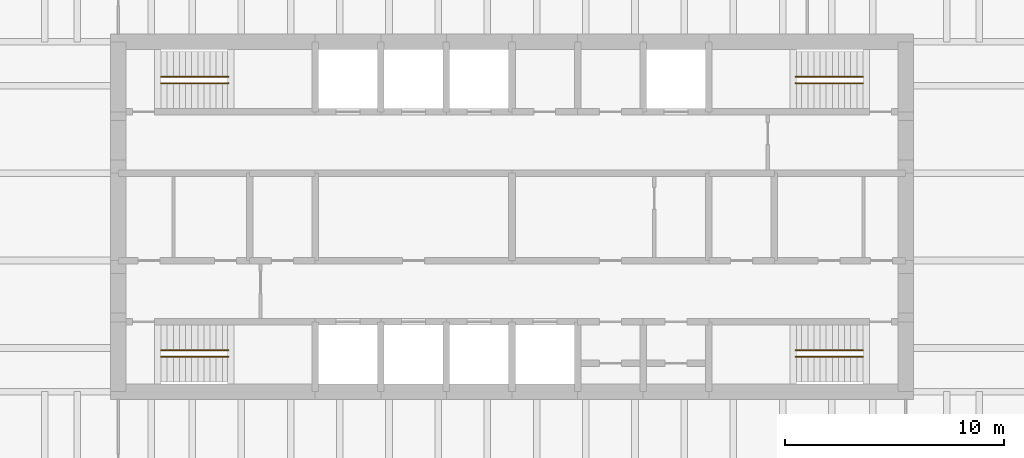
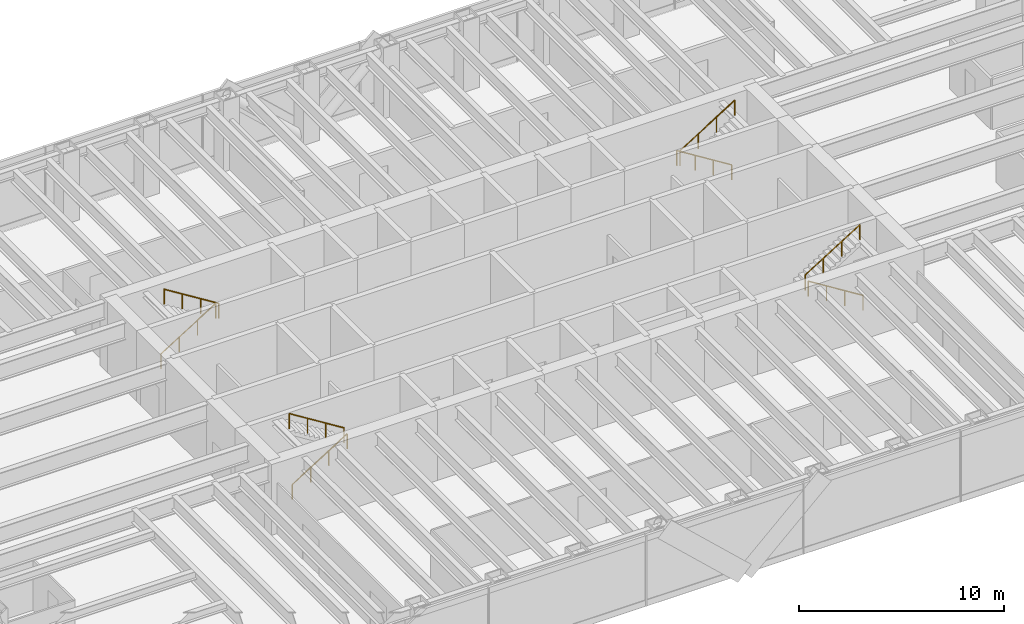
# One storey, part 17 of 17: 8 railings.
"""IFC4 building model written with IfcOpenShell, lengths in metres."""

from ifc_helpers import new_model, si_unit, direction, frame, origin, origin_2d, place, context, subcontext, project, spatial, circle, extrude, material, type_object, element, save


model = new_model("IFC4")

# Units and contexts
model_context = context("Model", 3, precision=1e-05, world=origin(), true_north=direction((0.0, 1.0)))
body_context = subcontext(model_context, "Body", "Model", "MODEL_VIEW")
ifc_project = project(units=[si_unit("LENGTHUNIT", "METRE"), si_unit("AREAUNIT", "SQUARE_METRE"), si_unit("VOLUMEUNIT", "CUBIC_METRE"), si_unit("PLANEANGLEUNIT", "RADIAN"), si_unit("MASSUNIT", "GRAM", prefix="KILO")], contexts=[model_context])

# Site, building, storey
site_placement = place(None, origin())
site = spatial("IfcSite", under=ifc_project, at=site_placement, CompositionType="ELEMENT")
building_placement = place(site_placement, origin())
building = spatial("IfcBuilding", under=site, at=building_placement, Name="Rheinbord Bourse Tower", CompositionType="ELEMENT")
storey_placement = place(building_placement, frame((0.0, 0.0, 304.699951171875)))
storey = spatial("IfcBuildingStorey", under=building, at=storey_placement, Name="L69", CompositionType="ELEMENT", Elevation=304.699951171875)

# Railings
ifc_material = material(Name="Steel handrail", Category="steel")
railing_type = type_object("IfcRailingType", Name="HANDRAIL 900", PredefinedType="HANDRAIL", material=ifc_material)
railing_1_placement = place(storey_placement, frame((19.949951171875, 17.60009765625, 0.175048828125)))
element("IfcRailing", 1, at=railing_1_placement, inside=storey, type_object=railing_type, Name="Handrail", PredefinedType="HANDRAIL", context=body_context, shape_type="SweptSolid", body=[
    extrude(circle(Radius=0.02392578125, at=origin_2d()), frame((0.0, 0.0, 0.8759765625), z_axis=(0.847998304005, 0.0, 0.529998940003), x_axis=(0.0, 1.0, 0.0)), (0.0, 0.0, 1.0), 3.632080078125),
    extrude(circle(Radius=0.02099609375, at=origin_2d()), origin(), (0.0, 0.0, 1.0), 0.851806640625),
    extrude(circle(Radius=0.02099609375, at=origin_2d()), frame((1.026611328125, 0.0, 0.6416015625)), (0.0, 0.0, 1.0), 0.851806640625),
    extrude(circle(Radius=0.02099609375, at=origin_2d()), frame((2.053466796875, 0.0, 1.283447265625)), (0.0, 0.0, 1.0), 0.851806640625),
    extrude(circle(Radius=0.02099609375, at=origin_2d()), frame((3.080078125, 0.0, 1.925048828125)), (0.0, 0.0, 1.0), 0.851806640625),
])
railing_2_placement = place(storey_placement, frame((23.030029296875, 17.89990234375, 2.275146484375)))
element("IfcRailing", 2, at=railing_2_placement, inside=storey, type_object=railing_type, Name="Handrail", PredefinedType="HANDRAIL", context=body_context, shape_type="SweptSolid", body=[
    extrude(circle(Radius=0.02392578125, at=origin_2d()), frame((0.0, 0.0, 0.8759765625), z_axis=(-0.848028513186, 0.0, 0.529950602248), x_axis=(0.0, -1.0, 0.0)), (0.0, 0.0, 1.0), 3.632080078125),
    extrude(circle(Radius=0.02099609375, at=origin_2d()), origin(), (0.0, 0.0, 1.0), 0.851806640625),
    extrude(circle(Radius=0.02099609375, at=origin_2d()), frame((-1.026611328125, 0.0, 0.6416015625)), (0.0, 0.0, 1.0), 0.851806640625),
    extrude(circle(Radius=0.02099609375, at=origin_2d()), frame((-2.053466796875, 0.0, 1.283203125)), (0.0, 0.0, 1.0), 0.851806640625),
    extrude(circle(Radius=0.02099609375, at=origin_2d()), frame((-3.080078125, 0.0, 1.9248046875)), (0.0, 0.0, 1.0), 0.851806640625),
])
railing_3_placement = place(storey_placement, frame((19.949951171875, 30.39990234375, 0.175048828125)))
element("IfcRailing", 3, at=railing_3_placement, inside=storey, type_object=railing_type, Name="Handrail", PredefinedType="HANDRAIL", context=body_context, shape_type="SweptSolid", body=[
    extrude(circle(Radius=0.02392578125, at=origin_2d()), frame((0.0, 0.0, 0.8759765625), z_axis=(0.847998304005, 0.0, 0.529998940003), x_axis=(0.0, 1.0, 0.0)), (0.0, 0.0, 1.0), 3.632080078125),
    extrude(circle(Radius=0.02099609375, at=origin_2d()), origin(), (0.0, 0.0, 1.0), 0.851806640625),
    extrude(circle(Radius=0.02099609375, at=origin_2d()), frame((1.026611328125, 0.0, 0.6416015625)), (0.0, 0.0, 1.0), 0.851806640625),
    extrude(circle(Radius=0.02099609375, at=origin_2d()), frame((2.053466796875, 0.0, 1.283447265625)), (0.0, 0.0, 1.0), 0.851806640625),
    extrude(circle(Radius=0.02099609375, at=origin_2d()), frame((3.080078125, 0.0, 1.925048828125)), (0.0, 0.0, 1.0), 0.851806640625),
])
railing_4_placement = place(storey_placement, frame((23.030029296875, 30.10009765625, 2.275146484375)))
element("IfcRailing", 4, at=railing_4_placement, inside=storey, type_object=railing_type, Name="Handrail", PredefinedType="HANDRAIL", context=body_context, shape_type="SweptSolid", body=[
    extrude(circle(Radius=0.02392578125, at=origin_2d()), frame((0.0, 0.0, 0.8759765625), z_axis=(-0.848028513186, 0.0, 0.529950602248), x_axis=(0.0, -1.0, 0.0)), (0.0, 0.0, 1.0), 3.632080078125),
    extrude(circle(Radius=0.02099609375, at=origin_2d()), origin(), (0.0, 0.0, 1.0), 0.851806640625),
    extrude(circle(Radius=0.02099609375, at=origin_2d()), frame((-1.026611328125, 0.0, 0.6416015625)), (0.0, 0.0, 1.0), 0.851806640625),
    extrude(circle(Radius=0.02099609375, at=origin_2d()), frame((-2.053466796875, 0.0, 1.283203125)), (0.0, 0.0, 1.0), 0.851806640625),
    extrude(circle(Radius=0.02099609375, at=origin_2d()), frame((-3.080078125, 0.0, 1.9248046875)), (0.0, 0.0, 1.0), 0.851806640625),
])
railing_5_placement = place(storey_placement, frame((52.050048828125, 17.60009765625, 0.175048828125)))
element("IfcRailing", 5, at=railing_5_placement, inside=storey, type_object=railing_type, Name="Handrail", PredefinedType="HANDRAIL", context=body_context, shape_type="SweptSolid", body=[
    extrude(circle(Radius=0.02392578125, at=origin_2d()), frame((0.0, 0.0, 0.8759765625), z_axis=(-0.847998304005, 0.0, 0.529998940003), x_axis=(0.0, -1.0, 0.0)), (0.0, 0.0, 1.0), 3.632080078125),
    extrude(circle(Radius=0.02099609375, at=origin_2d()), origin(), (0.0, 0.0, 1.0), 0.851806640625),
    extrude(circle(Radius=0.02099609375, at=origin_2d()), frame((-1.026611328125, 0.0, 0.6416015625)), (0.0, 0.0, 1.0), 0.851806640625),
    extrude(circle(Radius=0.02099609375, at=origin_2d()), frame((-2.053466796875, 0.0, 1.283447265625)), (0.0, 0.0, 1.0), 0.851806640625),
    extrude(circle(Radius=0.02099609375, at=origin_2d()), frame((-3.080078125, 0.0, 1.925048828125)), (0.0, 0.0, 1.0), 0.851806640625),
])
railing_6_placement = place(storey_placement, frame((48.969970703125, 17.89990234375, 2.275146484375)))
element("IfcRailing", 6, at=railing_6_placement, inside=storey, type_object=railing_type, Name="Handrail", PredefinedType="HANDRAIL", context=body_context, shape_type="SweptSolid", body=[
    extrude(circle(Radius=0.02392578125, at=origin_2d()), frame((0.0, 0.0, 0.8759765625), z_axis=(0.848028513186, 0.0, 0.529950602248), x_axis=(0.0, 1.0, 0.0)), (0.0, 0.0, 1.0), 3.632080078125),
    extrude(circle(Radius=0.02099609375, at=origin_2d()), origin(), (0.0, 0.0, 1.0), 0.851806640625),
    extrude(circle(Radius=0.02099609375, at=origin_2d()), frame((1.026611328125, 0.0, 0.6416015625)), (0.0, 0.0, 1.0), 0.851806640625),
    extrude(circle(Radius=0.02099609375, at=origin_2d()), frame((2.053466796875, 0.0, 1.283203125)), (0.0, 0.0, 1.0), 0.851806640625),
    extrude(circle(Radius=0.02099609375, at=origin_2d()), frame((3.080078125, 0.0, 1.9248046875)), (0.0, 0.0, 1.0), 0.851806640625),
])
railing_7_placement = place(storey_placement, frame((52.050048828125, 30.39990234375, 0.175048828125)))
element("IfcRailing", 7, at=railing_7_placement, inside=storey, type_object=railing_type, Name="Handrail", PredefinedType="HANDRAIL", context=body_context, shape_type="SweptSolid", body=[
    extrude(circle(Radius=0.02392578125, at=origin_2d()), frame((0.0, 0.0, 0.8759765625), z_axis=(-0.847998304005, 0.0, 0.529998940003), x_axis=(0.0, -1.0, 0.0)), (0.0, 0.0, 1.0), 3.632080078125),
    extrude(circle(Radius=0.02099609375, at=origin_2d()), origin(), (0.0, 0.0, 1.0), 0.851806640625),
    extrude(circle(Radius=0.02099609375, at=origin_2d()), frame((-1.026611328125, 0.0, 0.6416015625)), (0.0, 0.0, 1.0), 0.851806640625),
    extrude(circle(Radius=0.02099609375, at=origin_2d()), frame((-2.053466796875, 0.0, 1.283447265625)), (0.0, 0.0, 1.0), 0.851806640625),
    extrude(circle(Radius=0.02099609375, at=origin_2d()), frame((-3.080078125, 0.0, 1.925048828125)), (0.0, 0.0, 1.0), 0.851806640625),
])
railing_8_placement = place(storey_placement, frame((48.969970703125, 30.10009765625, 2.275146484375)))
element("IfcRailing", 8, at=railing_8_placement, inside=storey, type_object=railing_type, Name="Handrail", PredefinedType="HANDRAIL", context=body_context, shape_type="SweptSolid", body=[
    extrude(circle(Radius=0.02392578125, at=origin_2d()), frame((0.0, 0.0, 0.8759765625), z_axis=(0.848028513186, 0.0, 0.529950602248), x_axis=(0.0, 1.0, 0.0)), (0.0, 0.0, 1.0), 3.632080078125),
    extrude(circle(Radius=0.02099609375, at=origin_2d()), origin(), (0.0, 0.0, 1.0), 0.851806640625),
    extrude(circle(Radius=0.02099609375, at=origin_2d()), frame((1.026611328125, 0.0, 0.6416015625)), (0.0, 0.0, 1.0), 0.851806640625),
    extrude(circle(Radius=0.02099609375, at=origin_2d()), frame((2.053466796875, 0.0, 1.283203125)), (0.0, 0.0, 1.0), 0.851806640625),
    extrude(circle(Radius=0.02099609375, at=origin_2d()), frame((3.080078125, 0.0, 1.9248046875)), (0.0, 0.0, 1.0), 0.851806640625),
])

save(model, "model.ifc")
